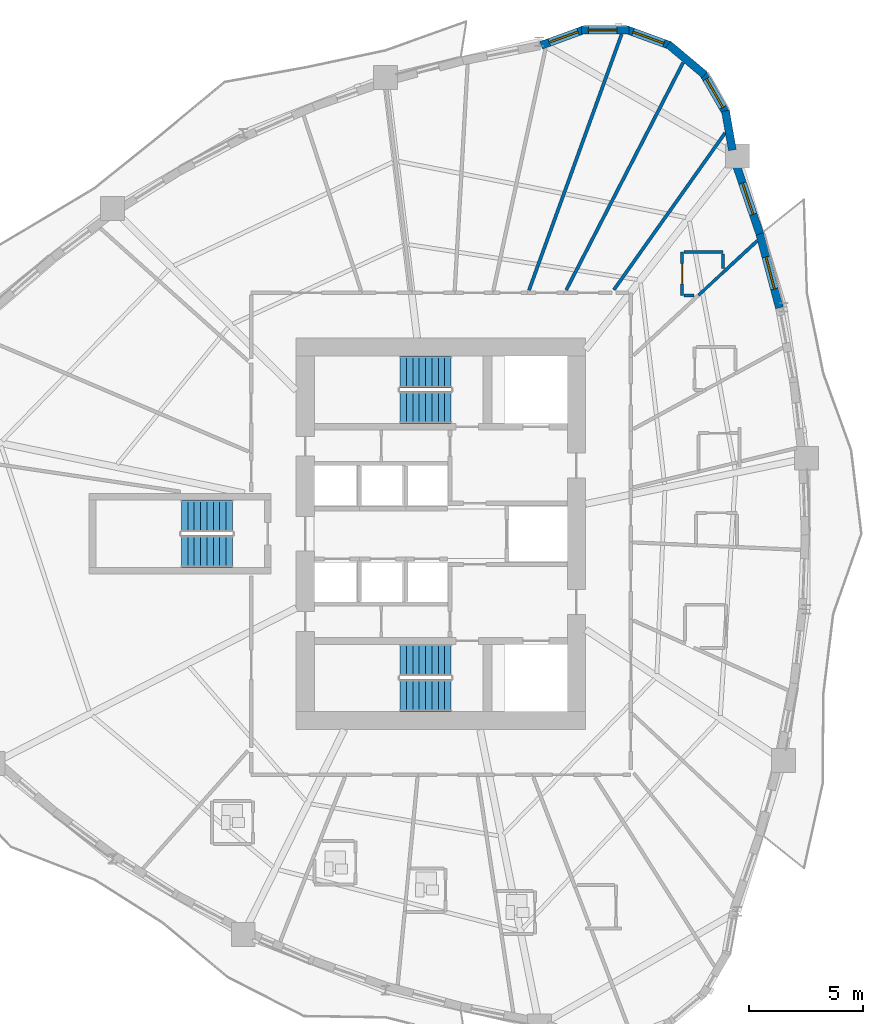
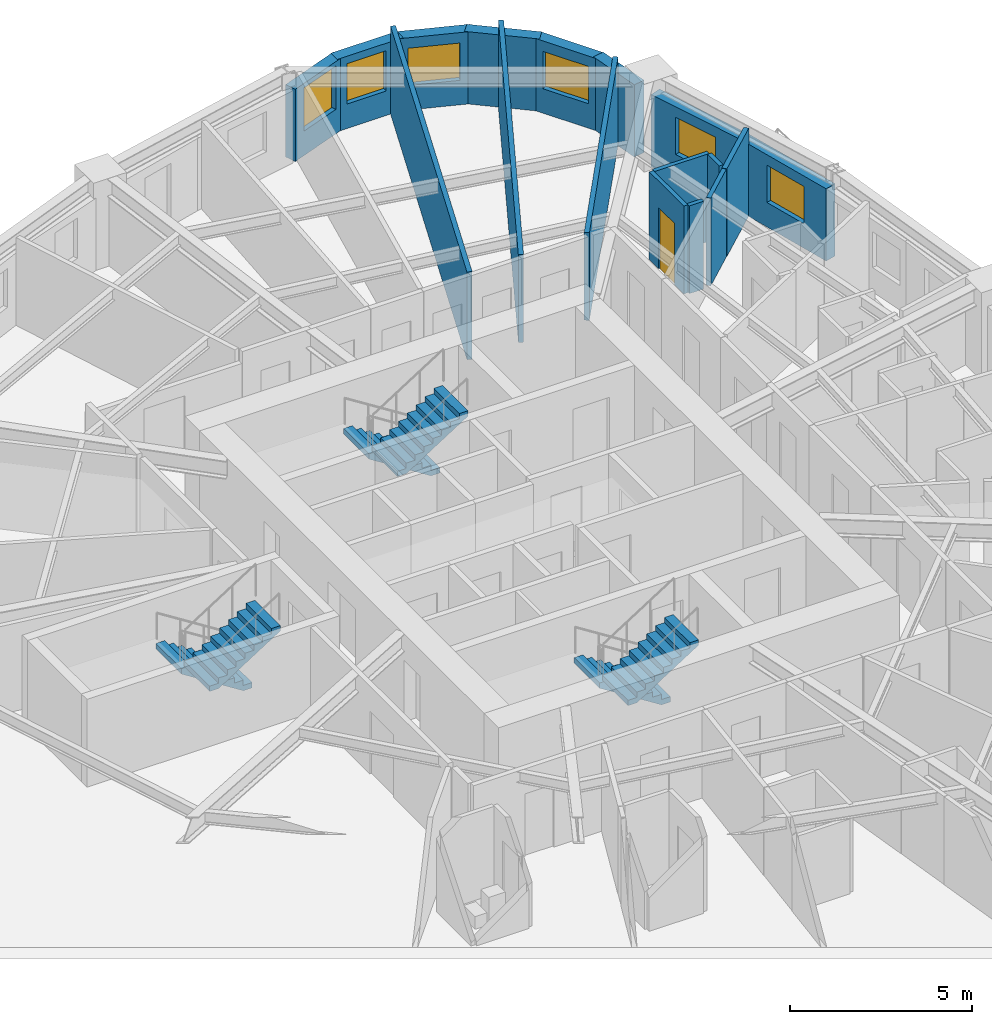
# One storey, part 9 of 14: 17 walls, 6 stair flights, 6 windows, 1 door, 7 openings, 3 elements without a shape of their own.
"""IFC4 building model written with IfcOpenShell, lengths in metres."""

from ifc_helpers import new_model, si_unit, direction, frame, frame_2d, origin, place, context, subcontext, project, spatial, polyline, rectangle, outline, extrude, source, transform, mapped, material, layer, layer_set, type_object, element, fill, aggregate, save


model = new_model("IFC4")

# Units and contexts
model_context = context("Model", 3, precision=1e-05, world=origin(), true_north=direction((0.0, 1.0)))
body_context = subcontext(model_context, "Body", "Model", "MODEL_VIEW")
ifc_project = project(units=[si_unit("LENGTHUNIT", "METRE"), si_unit("AREAUNIT", "SQUARE_METRE"), si_unit("VOLUMEUNIT", "CUBIC_METRE"), si_unit("PLANEANGLEUNIT", "RADIAN"), si_unit("MASSUNIT", "GRAM", prefix="KILO")], contexts=[model_context])

# Site, building, storey
site_placement = place(None, origin())
site = spatial("IfcSite", under=ifc_project, at=site_placement, CompositionType="ELEMENT")
building_placement = place(site_placement, origin())
building = spatial("IfcBuilding", under=site, at=building_placement, Name="Qafzar Sky-Pleat Residences", CompositionType="ELEMENT")
storey_placement = place(building_placement, frame((0.0, 0.0, 17.39990234375)))
storey = spatial("IfcBuildingStorey", under=building, at=storey_placement, Name="L04", CompositionType="ELEMENT", Elevation=17.39990234375)

# Walls
ifc_material_1 = material(Name="Acoustic gypsum plasterboard partition", Category="gypsum")
ifc_layer_1 = layer(ifc_material_1, 0.14501953125)
ifc_layer_set_1 = layer_set([ifc_layer_1], Name="Acoustic gypsum plasterboard partition")
wall_type_1 = type_object("IfcWallType", Name="PART-UNIT-145", PredefinedType="PARTITIONING", material=ifc_layer_set_1)
wall_1_placement = place(storey_placement, frame((34.218505859375, 36.692138671875, 0.0), z_axis=(0.0, 0.0, 1.0), x_axis=(0.340186046968, 0.940358151689, 0.0)))
element("IfcWall", 1, at=wall_1_placement, inside=storey, type_object=wall_type_1, Name="L04 Partition Wall PART-L04-PW-036", PredefinedType="PARTITIONING", context=body_context, shape_type="SweptSolid", body=[
    extrude(rectangle(XDim=11.951416015625, YDim=0.14501953125, at=frame_2d((5.9755859375, 0.0))), origin(), (0.0, 0.0, 1.0), 2.940185546875),
])
wall_2_placement = place(storey_placement, frame((35.851806640625, 36.7001953125, 0.0), z_axis=(0.0, 0.0, 1.0), x_axis=(0.457258091214, 0.889334041865, 0.0)))
element("IfcWall", 2, at=wall_2_placement, inside=storey, type_object=wall_type_1, Name="L04 Partition Wall PART-L04-PW-037", PredefinedType="PARTITIONING", context=body_context, shape_type="SweptSolid", body=[
    extrude(rectangle(XDim=11.226806640625, YDim=0.14501953125, at=frame_2d((5.61328125, 0.0))), origin(), (0.0, 0.0, 1.0), 2.940185546875),
])
wall_3_placement = place(storey_placement, frame((37.943115234375, 36.70849609375, 0.0), z_axis=(0.0, 0.0, 1.0), x_axis=(0.578429476704, 0.81573239514, 0.0)))
element("IfcWall", 3, at=wall_3_placement, inside=storey, type_object=wall_type_1, Name="L04 Partition Wall PART-L04-PW-043", PredefinedType="PARTITIONING", context=body_context, shape_type="SweptSolid", body=[
    extrude(rectangle(XDim=8.446533203125, YDim=0.14501953125, at=frame_2d((4.22314453125, 0.0))), origin(), (0.0, 0.0, 1.0), 2.940185546875),
])
wall_4_placement = place(storey_placement, frame((42.742919921875, 37.47705078125, 0.0), z_axis=(0.0, 0.0, 1.0), x_axis=(0.73374741774, 0.679422347999, 0.0)))
element("IfcWall", 4, at=wall_4_placement, inside=storey, type_object=wall_type_1, Name="L04 Partition Wall PART-L04-PW-066", PredefinedType="PARTITIONING", context=body_context, shape_type="SweptSolid", body=[
    extrude(rectangle(XDim=2.040283203125, YDim=0.14501953125, at=frame_2d((1.02001953125, 0.0))), origin(), (0.0, 0.0, 1.0), 2.940185546875),
])

# Wall, opening, door
ifc_material_2 = material(Name="Moisture-resistant gypsum partition", Category="gypsum")
ifc_layer_2 = layer(ifc_material_2, 0.1298828125)
ifc_layer_set_2 = layer_set([ifc_layer_2], Name="Moisture-resistant gypsum partition")
wall_type_2 = type_object("IfcWallType", Name="PART-WET-130", PredefinedType="PARTITIONING", material=ifc_layer_set_2)
wall_5_placement = place(storey_placement, frame((40.943115234375, 38.367919921875, 0.0), z_axis=(0.0, 0.0, 1.0), x_axis=(0.0, -1.0, 0.0)))
wall_5 = element("IfcWall", 5, at=wall_5_placement, inside=storey, type_object=wall_type_2, Name="L04 Partition Wall PART-L04-PW-024", PredefinedType="PARTITIONING", context=body_context, shape_type="SweptSolid", body=[
    extrude(rectangle(XDim=1.89990234375, YDim=0.1298828125, at=frame_2d((0.949951171875, 0.0))), origin(), (0.0, 0.0, 1.0), 2.940185546875),
])
opening_1_placement = place(wall_5_placement, frame((0.510009765625, 0.0, 0.0)))
opening_1 = element("IfcOpeningElement", 6, at=opening_1_placement, cuts=wall_5, Name="Opening ID-07", PredefinedType="OPENING", context=body_context, shape_type="SweptSolid", body=[
    extrude(rectangle(XDim=0.8798828125, YDim=2.050048828125, at=frame_2d((0.43994140625, 1.02490234375))), frame((0.0, 0.074951171875, 0.0), z_axis=(0.0, -1.0, 0.0), x_axis=(1.0, 0.0, 0.0)), (0.0, 0.0, 1.0), 0.14990234375),
])
ifc_material_3 = material(Name="Timber-faced fire door", Category="wood")
door_type = type_object("IfcDoorType", Name="DR-WET-880", OperationType="NOTDEFINED", PredefinedType="DOOR", material=ifc_material_3)
shared_shape_1 = source(origin(), body_context, "Body", "SweptSolid", [
    extrude(rectangle(XDim=0.8798828125, YDim=2.050048828125, at=frame_2d((0.43994140625, 1.02490234375))), frame((0.0, 0.02490234375, 0.0), z_axis=(0.0, -1.0, 0.0), x_axis=(1.0, 0.0, 0.0)), (0.0, 0.0, 1.0), 0.050048828125),
])
door_placement = place(opening_1_placement, origin())
door = element("IfcDoor", 7, at=door_placement, inside=storey, type_object=door_type, Name="L04 En-suite Bathroom 13 Door", OperationType="SINGLE_SWING_LEFT", OverallHeight=2.050048828125, OverallWidth=0.8798828125, PredefinedType="DOOR", context=body_context, shape_type="MappedRepresentation", body=[
    mapped(shared_shape_1, transform((0.0, 0.0, 0.0), x_axis=(1.0, 0.0, 0.0), y_axis=(0.0, 1.0, 0.0), z_axis=(0.0, 0.0, 1.0), scale=1.0)),
])
fill(opening_1, door)

# Walls
wall_6_placement = place(storey_placement, frame((41.01611328125, 38.367919921875, 0.0), z_axis=(0.0, 0.0, 1.0), x_axis=(1.0, 0.0, 0.0)))
element("IfcWall", 8, at=wall_6_placement, inside=storey, type_object=wall_type_2, Name="L04 Partition Wall PART-L04-PW-072", PredefinedType="PARTITIONING", context=body_context, shape_type="SweptSolid", body=[
    extrude(rectangle(XDim=1.726806640625, YDim=0.1298828125, at=frame_2d((0.86328125, 0.0))), origin(), (0.0, 0.0, 1.0), 2.940185546875),
])
wall_7_placement = place(storey_placement, frame((41.6650390625, 36.478271484375, 0.0), z_axis=(0.0, 0.0, 1.0), x_axis=(0.733534386117, 0.679652340821, 0.0)))
element("IfcWall", 9, at=wall_7_placement, inside=storey, type_object=wall_type_2, Name="L04 Partition Wall PART-L04-PW-089", PredefinedType="PARTITIONING", context=body_context, shape_type="SweptSolid", body=[
    extrude(rectangle(XDim=1.454345703125, YDim=0.1298828125, at=frame_2d((0.72705078125, 0.0))), origin(), (0.0, 0.0, 1.0), 2.940185546875),
])
wall_8_placement = place(storey_placement, frame((42.742919921875, 37.64404296875, 0.0), z_axis=(0.0, 0.0, 1.0), x_axis=(0.0, 1.0, 0.0)))
element("IfcWall", 10, at=wall_8_placement, inside=storey, type_object=wall_type_2, Name="L04 Partition Wall PART-L04-PW-097", PredefinedType="PARTITIONING", context=body_context, shape_type="SweptSolid", body=[
    extrude(rectangle(XDim=0.65087890625, YDim=0.1298828125, at=frame_2d((0.325439453125, 0.0))), origin(), (0.0, 0.0, 1.0), 2.940185546875),
])
wall_9_placement = place(storey_placement, frame((41.01611328125, 36.468017578125, 0.0), z_axis=(0.0, 0.0, 1.0), x_axis=(1.0, 0.0, 0.0)))
element("IfcWall", 11, at=wall_9_placement, inside=storey, type_object=wall_type_2, Name="L04 Partition Wall PART-L04-PW-099", PredefinedType="PARTITIONING", context=body_context, shape_type="SweptSolid", body=[
    extrude(rectangle(XDim=0.452880859375, YDim=0.1298828125, at=frame_2d((0.2265625, 0.0))), origin(), (0.0, 0.0, 1.0), 2.940185546875),
])

# Wall, opening, window
ifc_material_4 = material(Name="Precast concrete C40/50 with honed Riyadh limestone", Category="concrete")
ifc_layer_3 = layer(ifc_material_4, 0.35009765625)
ifc_layer_set_3 = layer_set([ifc_layer_3], Name="Precast concrete C40/50 with honed Riyadh limestone")
wall_type_3 = type_object("IfcWallType", Name="WALL-EXT-350", PredefinedType="SOLIDWALL", material=ifc_layer_set_3)
wall_10_placement = place(storey_placement, frame((45.21435546875, 35.92236328125, 0.0), z_axis=(0.0, 0.0, 1.0), x_axis=(-0.257081073508, 0.966389839373, 0.0)))
wall_10 = element("IfcWall", 12, at=wall_10_placement, inside=storey, type_object=wall_type_3, Name="L04 Limestone Facade Wall 31", PredefinedType="SOLIDWALL", context=body_context, shape_type="SweptSolid", body=[
    extrude(rectangle(XDim=3.44921875, YDim=0.35009765625, at=frame_2d((1.724609375, 0.0))), origin(), (0.0, 0.0, 1.0), 2.420166015625),
])
opening_2_placement = place(wall_10_placement, frame((0.856689453125, 0.0, 0.820068359375)))
opening_2 = element("IfcOpeningElement", 13, at=opening_2_placement, cuts=wall_10, Name="Opening WN-15", PredefinedType="OPENING", context=body_context, shape_type="SweptSolid", body=[
    extrude(rectangle(XDim=1.449951171875, YDim=1.25, at=frame_2d((0.72509765625, 0.625))), frame((0.0, 0.18505859375, 0.0), z_axis=(0.0, -1.0, 0.0), x_axis=(1.0, 0.0, 0.0)), (0.0, 0.0, 1.0), 0.3701171875),
])
ifc_material_5 = material(Name="Solar-control low-E glass in bronze aluminium frame", Category="glass")
window_type_1 = type_object("IfcWindowType", Name="WIN-15", PartitioningType="SINGLE_PANEL", PredefinedType="WINDOW", material=ifc_material_5)
shared_shape_2 = source(origin(), body_context, "Body", "SweptSolid", [
    extrude(rectangle(XDim=1.449951171875, YDim=1.25, at=frame_2d((0.72509765625, 0.625))), frame((0.0, 0.030029296875, 0.0), z_axis=(0.0, -1.0, 0.0), x_axis=(1.0, 0.0, 0.0)), (0.0, 0.0, 1.0), 0.06005859375),
])
window_1_placement = place(opening_2_placement, origin())
window_1 = element("IfcWindow", 14, at=window_1_placement, inside=storey, type_object=window_type_1, Name="L04 Punched Facade Window 31", OverallHeight=1.25, OverallWidth=1.449951171875, PartitioningType="SINGLE_PANEL", PredefinedType="WINDOW", context=body_context, shape_type="MappedRepresentation", body=[
    mapped(shared_shape_2, transform((0.0, 0.0, 0.0), x_axis=(1.0, 0.0, 0.0), y_axis=(0.0, 1.0, 0.0), z_axis=(0.0, 0.0, 1.0), scale=1.0)),
])
fill(opening_2, window_1)

wall_11_placement = place(storey_placement, frame((44.353271484375, 39.17138671875, 0.0), z_axis=(0.0, 0.0, 1.0), x_axis=(-0.323604310653, 0.946192501623, 0.0)))
wall_11 = element("IfcWall", 15, at=wall_11_placement, inside=storey, type_object=wall_type_3, Name="L04 Limestone Facade Wall 32", PredefinedType="SOLIDWALL", context=body_context, shape_type="SweptSolid", body=[
    extrude(rectangle(XDim=3.24267578125, YDim=0.35009765625, at=frame_2d((1.621337890625, 0.0))), origin(), (0.0, 0.0, 1.0), 2.420166015625),
])
opening_3_placement = place(wall_11_placement, frame((0.9013671875, 0.0, 0.820068359375)))
opening_3 = element("IfcOpeningElement", 16, at=opening_3_placement, cuts=wall_11, Name="Opening WN-15", PredefinedType="OPENING", context=body_context, shape_type="SweptSolid", body=[
    extrude(rectangle(XDim=1.449951171875, YDim=1.25, at=frame_2d((0.72509765625, 0.625))), frame((0.0, 0.18505859375, 0.0), z_axis=(0.0, -1.0, 0.0), x_axis=(1.0, 0.0, 0.0)), (0.0, 0.0, 1.0), 0.3701171875),
])
window_2_placement = place(opening_3_placement, origin())
window_2 = element("IfcWindow", 17, at=window_2_placement, inside=storey, type_object=window_type_1, Name="L04 Punched Facade Window 32", OverallHeight=1.25, OverallWidth=1.449951171875, PartitioningType="SINGLE_PANEL", PredefinedType="WINDOW", context=body_context, shape_type="MappedRepresentation", body=[
    mapped(shared_shape_2, transform((0.0, 0.0, 0.0), x_axis=(1.0, 0.0, 0.0), y_axis=(0.0, 1.0, 0.0), z_axis=(0.0, 0.0, 1.0), scale=1.0)),
])
fill(opening_3, window_2)

# Wall
wall_12_placement = place(storey_placement, frame((43.148193359375, 42.84521484375, 0.0), z_axis=(0.0, 0.0, 1.0), x_axis=(-0.173745591742, 0.984790571315, 0.0)))
element("IfcWall", 18, at=wall_12_placement, inside=storey, type_object=wall_type_3, Name="L04 Limestone Facade Wall 33", PredefinedType="SOLIDWALL", context=body_context, shape_type="SweptSolid", body=[
    extrude(rectangle(XDim=1.752197265625, YDim=0.35009765625, at=frame_2d((0.8759765625, 0.0))), origin(), (0.0, 0.0, 1.0), 2.420166015625),
])

# Wall, opening, window
wall_13_placement = place(storey_placement, frame((42.89013671875, 44.443359375, 0.0), z_axis=(0.0, 0.0, 1.0), x_axis=(-0.499995423472, 0.866028046028, 0.0)))
wall_13 = element("IfcWall", 19, at=wall_13_placement, inside=storey, type_object=wall_type_3, Name="L04 Limestone Facade Wall 34", PredefinedType="SOLIDWALL", context=body_context, shape_type="SweptSolid", body=[
    extrude(rectangle(XDim=2.09033203125, YDim=0.35009765625, at=frame_2d((1.045166015625, 0.0))), origin(), (0.0, 0.0, 1.0), 2.420166015625),
])
opening_4_placement = place(wall_13_placement, frame((0.320068359375, 0.0, 0.820068359375)))
opening_4 = element("IfcOpeningElement", 20, at=opening_4_placement, cuts=wall_13, Name="Opening WN-15", PredefinedType="OPENING", context=body_context, shape_type="SweptSolid", body=[
    extrude(rectangle(XDim=1.449951171875, YDim=1.25, at=frame_2d((0.72509765625, 0.625))), frame((0.0, 0.18505859375, 0.0), z_axis=(0.0, -1.0, 0.0), x_axis=(1.0, 0.0, 0.0)), (0.0, 0.0, 1.0), 0.3701171875),
])
window_3_placement = place(opening_4_placement, origin())
window_3 = element("IfcWindow", 21, at=window_3_placement, inside=storey, type_object=window_type_1, Name="L04 Punched Facade Window 34", OverallHeight=1.25, OverallWidth=1.449951171875, PartitioningType="SINGLE_PANEL", PredefinedType="WINDOW", context=body_context, shape_type="MappedRepresentation", body=[
    mapped(shared_shape_2, transform((0.0, 0.0, 0.0), x_axis=(1.0, 0.0, 0.0), y_axis=(0.0, 1.0, 0.0), z_axis=(0.0, 0.0, 1.0), scale=1.0)),
])
fill(opening_4, window_3)

# Wall
wall_14_placement = place(storey_placement, frame((41.93212890625, 46.149658203125, 0.0), z_axis=(0.0, 0.0, 1.0), x_axis=(-0.766024572719, 0.642811289563, 0.0)))
element("IfcWall", 22, at=wall_14_placement, inside=storey, type_object=wall_type_3, Name="L04 Limestone Facade Wall 35", PredefinedType="SOLIDWALL", context=body_context, shape_type="SweptSolid", body=[
    extrude(rectangle(XDim=2.09033203125, YDim=0.35009765625, at=frame_2d((1.045166015625, 0.0))), origin(), (0.0, 0.0, 1.0), 2.420166015625),
])

# Wall, opening, window
wall_15_placement = place(storey_placement, frame((40.448486328125, 47.425537109375, 0.0), z_axis=(0.0, 0.0, 1.0), x_axis=(-0.939711556618, 0.341968113072, 0.0)))
wall_15 = element("IfcWall", 23, at=wall_15_placement, inside=storey, type_object=wall_type_3, Name="L04 Limestone Facade Wall 36", PredefinedType="SOLIDWALL", context=body_context, shape_type="SweptSolid", body=[
    extrude(rectangle(XDim=2.09033203125, YDim=0.35009765625, at=frame_2d((1.045166015625, 0.0))), origin(), (0.0, 0.0, 1.0), 2.420166015625),
])
opening_5_placement = place(wall_15_placement, frame((0.320068359375, 0.0, 0.820068359375)))
opening_5 = element("IfcOpeningElement", 24, at=opening_5_placement, cuts=wall_15, Name="Opening WN-15", PredefinedType="OPENING", context=body_context, shape_type="SweptSolid", body=[
    extrude(rectangle(XDim=1.449951171875, YDim=1.25, at=frame_2d((0.72509765625, 0.625))), frame((0.0, 0.18505859375, 0.0), z_axis=(0.0, -1.0, 0.0), x_axis=(1.0, 0.0, 0.0)), (0.0, 0.0, 1.0), 0.3701171875),
])
window_4_placement = place(opening_5_placement, origin())
window_4 = element("IfcWindow", 25, at=window_4_placement, inside=storey, type_object=window_type_1, Name="L04 Punched Facade Window 36", OverallHeight=1.25, OverallWidth=1.449951171875, PartitioningType="SINGLE_PANEL", PredefinedType="WINDOW", context=body_context, shape_type="MappedRepresentation", body=[
    mapped(shared_shape_2, transform((0.0, 0.0, 0.0), x_axis=(1.0, 0.0, 0.0), y_axis=(0.0, 1.0, 0.0), z_axis=(0.0, 0.0, 1.0), scale=1.0)),
])
fill(opening_5, window_4)

wall_16_placement = place(storey_placement, frame((38.61767578125, 48.116943359375, 0.0), z_axis=(0.0, 0.0, 1.0), x_axis=(-1.0, 0.0, 0.0)))
wall_16 = element("IfcWall", 26, at=wall_16_placement, inside=storey, type_object=wall_type_3, Name="L04 Limestone Facade Wall 37", PredefinedType="SOLIDWALL", context=body_context, shape_type="SweptSolid", body=[
    extrude(rectangle(XDim=2.09033203125, YDim=0.35009765625, at=frame_2d((1.045166015625, 0.0))), origin(), (0.0, 0.0, 1.0), 2.420166015625),
])
opening_6_placement = place(wall_16_placement, frame((0.543212890625, 0.0, 0.820068359375)))
opening_6 = element("IfcOpeningElement", 27, at=opening_6_placement, cuts=wall_16, Name="Opening WN-11", PredefinedType="OPENING", context=body_context, shape_type="SweptSolid", body=[
    extrude(rectangle(XDim=1.25, YDim=1.35009765625, at=frame_2d((0.625, 0.675048828125))), frame((0.0, 0.18505859375, 0.0), z_axis=(0.0, -1.0, 0.0), x_axis=(1.0, 0.0, 0.0)), (0.0, 0.0, 1.0), 0.3701171875),
])
window_type_2 = type_object("IfcWindowType", Name="WIN-11", PartitioningType="SINGLE_PANEL", PredefinedType="WINDOW", material=ifc_material_5)
shared_shape_3 = source(origin(), body_context, "Body", "SweptSolid", [
    extrude(rectangle(XDim=1.25, YDim=1.35009765625, at=frame_2d((0.625, 0.675048828125))), frame((0.0, 0.030029296875, 0.0), z_axis=(0.0, -1.0, 0.0), x_axis=(1.0, 0.0, 0.0)), (0.0, 0.0, 1.0), 0.06005859375),
])
window_5_placement = place(opening_6_placement, origin())
window_5 = element("IfcWindow", 28, at=window_5_placement, inside=storey, type_object=window_type_2, Name="L04 Punched Facade Window 37", OverallHeight=1.35009765625, OverallWidth=1.25, PartitioningType="SINGLE_PANEL", PredefinedType="WINDOW", context=body_context, shape_type="MappedRepresentation", body=[
    mapped(shared_shape_3, transform((0.0, 0.0, 0.0), x_axis=(1.0, 0.0, 0.0), y_axis=(0.0, 1.0, 0.0), z_axis=(0.0, 0.0, 1.0), scale=1.0)),
])
fill(opening_6, window_5)

wall_17_placement = place(storey_placement, frame((36.660888671875, 48.140380859375, 0.0), z_axis=(0.0, 0.0, 1.0), x_axis=(-0.939691662178, -0.342022777067, 0.0)))
wall_17 = element("IfcWall", 29, at=wall_17_placement, inside=storey, type_object=wall_type_3, Name="L04 Limestone Facade Wall 38", PredefinedType="SOLIDWALL", context=body_context, shape_type="SweptSolid", body=[
    extrude(rectangle(XDim=2.0322265625, YDim=0.35009765625, at=frame_2d((1.01611328125, 0.0))), origin(), (0.0, 0.0, 1.0), 2.420166015625),
])
opening_7_placement = place(wall_17_placement, frame((0.302490234375, 0.0, 0.820068359375)))
opening_7 = element("IfcOpeningElement", 30, at=opening_7_placement, cuts=wall_17, Name="Opening WN-04", PredefinedType="OPENING", context=body_context, shape_type="SweptSolid", body=[
    extrude(rectangle(XDim=1.35009765625, YDim=1.449951171875, at=frame_2d((0.675048828125, 0.72509765625))), frame((0.0, 0.18505859375, 0.0), z_axis=(0.0, -1.0, 0.0), x_axis=(1.0, 0.0, 0.0)), (0.0, 0.0, 1.0), 0.3701171875),
])
window_type_3 = type_object("IfcWindowType", Name="WIN-04", PartitioningType="SINGLE_PANEL", PredefinedType="WINDOW", material=ifc_material_5)
shared_shape_4 = source(origin(), body_context, "Body", "SweptSolid", [
    extrude(rectangle(XDim=1.35009765625, YDim=1.449951171875, at=frame_2d((0.675048828125, 0.72509765625))), frame((0.0, 0.030029296875, 0.0), z_axis=(0.0, -1.0, 0.0), x_axis=(1.0, 0.0, 0.0)), (0.0, 0.0, 1.0), 0.06005859375),
])
window_6_placement = place(opening_7_placement, origin())
window_6 = element("IfcWindow", 31, at=window_6_placement, inside=storey, type_object=window_type_3, Name="L04 Punched Facade Window 38", OverallHeight=1.449951171875, OverallWidth=1.35009765625, PartitioningType="SINGLE_PANEL", PredefinedType="WINDOW", context=body_context, shape_type="MappedRepresentation", body=[
    mapped(shared_shape_4, transform((0.0, 0.0, 0.0), x_axis=(1.0, 0.0, 0.0), y_axis=(0.0, 1.0, 0.0), z_axis=(0.0, 0.0, 1.0), scale=1.0)),
])
fill(opening_7, window_6)

# Stair, stair flights
ifc_material_6 = material(Name="Concrete C40/50", Category="concrete")
stair_type = type_object("IfcStairType", Name="STAIR-H320", PredefinedType="HALF_TURN_STAIR", material=ifc_material_6)
stair_1_placement = place(storey_placement, origin())
stair_1 = element("IfcStair", 32, at=stair_1_placement, inside=storey, type_object=stair_type, Name="L04 Protected Exit Stair ST1", PredefinedType="HALF_TURN_STAIR")
stair_flight_type = type_object("IfcStairFlightType", Name="FLIGHT-H320", PredefinedType="STRAIGHT", material=ifc_material_6)
shared_shape_5 = source(origin(), body_context, "Body", "SweptSolid", [
    extrude(outline(polyline([(0.0, 0.0), (0.0, 0.177734375), (0.280029296875, 0.177734375), (0.280029296875, 0.35546875), (0.56005859375, 0.35546875), (0.56005859375, 0.533447265625), (0.840087890625, 0.533447265625), (0.840087890625, 0.711181640625), (1.1201171875, 0.711181640625), (1.1201171875, 0.888916015625), (1.39990234375, 0.888916015625), (1.39990234375, 1.066650390625), (1.679931640625, 1.066650390625), (1.679931640625, 1.244384765625), (1.9599609375, 1.244384765625), (1.9599609375, 1.422119140625), (2.239990234375, 1.422119140625), (2.239990234375, 1.60009765625), (2.239990234375, 1.24462890625), (0.27978515625, 0.0), (0.0, 0.0)])), frame((0.0, 0.699951171875, 0.0), z_axis=(0.0, -1.0, 0.0), x_axis=(1.0, 0.0, 0.0)), (0.0, 0.0, 1.0), 1.39990234375),
])
stair_flight_1_placement = place(storey_placement, frame((30.800048828125, 20.449951171875, 0.0), z_axis=(0.0, 0.0, 1.0), x_axis=(-1.0, 0.0, 0.0)))
stair_flight_1 = element("IfcStairFlight", 33, at=stair_flight_1_placement, type_object=stair_flight_type, Name="ST1 flight 1", NumberOfRisers=9, NumberOfTreads=8, PredefinedType="STRAIGHT", RiserHeight=0.177777778, TreadLength=0.28, context=body_context, shape_type="MappedRepresentation", body=[
    mapped(shared_shape_5, transform((0.0, 0.0, 0.0), x_axis=(1.0, 0.0, 0.0), y_axis=(0.0, 1.0, 0.0), z_axis=(0.0, 0.0, 1.0), scale=1.0)),
])
stair_flight_2_placement = place(storey_placement, frame((28.56005859375, 18.89990234375, 1.60009765625), z_axis=(0.0, 0.0, 1.0), x_axis=(1.0, 0.0, 0.0)))
stair_flight_2 = element("IfcStairFlight", 34, at=stair_flight_2_placement, type_object=stair_flight_type, Name="ST1 flight 2", NumberOfRisers=9, NumberOfTreads=8, PredefinedType="STRAIGHT", RiserHeight=0.177777778, TreadLength=0.28, context=body_context, shape_type="MappedRepresentation", body=[
    mapped(shared_shape_5, transform((0.0, 0.0, 0.0), x_axis=(1.0, 0.0, 0.0), y_axis=(0.0, 1.0, 0.0), z_axis=(0.0, 0.0, 1.0), scale=1.0)),
])
aggregate(stair_1, [stair_flight_1, stair_flight_2])

stair_2_placement = place(storey_placement, origin())
stair_2 = element("IfcStair", 35, at=stair_2_placement, inside=storey, type_object=stair_type, Name="L04 Protected Exit Stair ST2", PredefinedType="HALF_TURN_STAIR")
stair_flight_3_placement = place(storey_placement, frame((30.800048828125, 33.10009765625, 0.0), z_axis=(0.0, 0.0, 1.0), x_axis=(-1.0, 0.0, 0.0)))
stair_flight_3 = element("IfcStairFlight", 36, at=stair_flight_3_placement, type_object=stair_flight_type, Name="ST2 flight 1", NumberOfRisers=9, NumberOfTreads=8, PredefinedType="STRAIGHT", RiserHeight=0.177777778, TreadLength=0.28, context=body_context, shape_type="MappedRepresentation", body=[
    mapped(shared_shape_5, transform((0.0, 0.0, 0.0), x_axis=(1.0, 0.0, 0.0), y_axis=(0.0, 1.0, 0.0), z_axis=(0.0, 0.0, 1.0), scale=1.0)),
])
stair_flight_4_placement = place(storey_placement, frame((28.56005859375, 31.550048828125, 1.60009765625), z_axis=(0.0, 0.0, 1.0), x_axis=(1.0, 0.0, 0.0)))
stair_flight_4 = element("IfcStairFlight", 37, at=stair_flight_4_placement, type_object=stair_flight_type, Name="ST2 flight 2", NumberOfRisers=9, NumberOfTreads=8, PredefinedType="STRAIGHT", RiserHeight=0.177777778, TreadLength=0.28, context=body_context, shape_type="MappedRepresentation", body=[
    mapped(shared_shape_5, transform((0.0, 0.0, 0.0), x_axis=(1.0, 0.0, 0.0), y_axis=(0.0, 1.0, 0.0), z_axis=(0.0, 0.0, 1.0), scale=1.0)),
])
aggregate(stair_2, [stair_flight_3, stair_flight_4])

stair_3_placement = place(storey_placement, origin())
stair_3 = element("IfcStair", 38, at=stair_3_placement, inside=storey, type_object=stair_type, Name="L04 Protected Exit Stair ST3", PredefinedType="HALF_TURN_STAIR")
stair_flight_5_placement = place(storey_placement, frame((21.199951171875, 26.77490234375, 0.0), z_axis=(0.0, 0.0, 1.0), x_axis=(-1.0, 0.0, 0.0)))
stair_flight_5 = element("IfcStairFlight", 39, at=stair_flight_5_placement, type_object=stair_flight_type, Name="ST3 flight 1", NumberOfRisers=9, NumberOfTreads=8, PredefinedType="STRAIGHT", RiserHeight=0.177777778, TreadLength=0.28, context=body_context, shape_type="MappedRepresentation", body=[
    mapped(shared_shape_5, transform((0.0, 0.0, 0.0), x_axis=(1.0, 0.0, 0.0), y_axis=(0.0, 1.0, 0.0), z_axis=(0.0, 0.0, 1.0), scale=1.0)),
])
stair_flight_6_placement = place(storey_placement, frame((18.9599609375, 25.22509765625, 1.60009765625), z_axis=(0.0, 0.0, 1.0), x_axis=(1.0, 0.0, 0.0)))
stair_flight_6 = element("IfcStairFlight", 40, at=stair_flight_6_placement, type_object=stair_flight_type, Name="ST3 flight 2", NumberOfRisers=9, NumberOfTreads=8, PredefinedType="STRAIGHT", RiserHeight=0.177777778, TreadLength=0.28, context=body_context, shape_type="MappedRepresentation", body=[
    mapped(shared_shape_5, transform((0.0, 0.0, 0.0), x_axis=(1.0, 0.0, 0.0), y_axis=(0.0, 1.0, 0.0), z_axis=(0.0, 0.0, 1.0), scale=1.0)),
])
aggregate(stair_3, [stair_flight_5, stair_flight_6])

save(model, "model.ifc")
